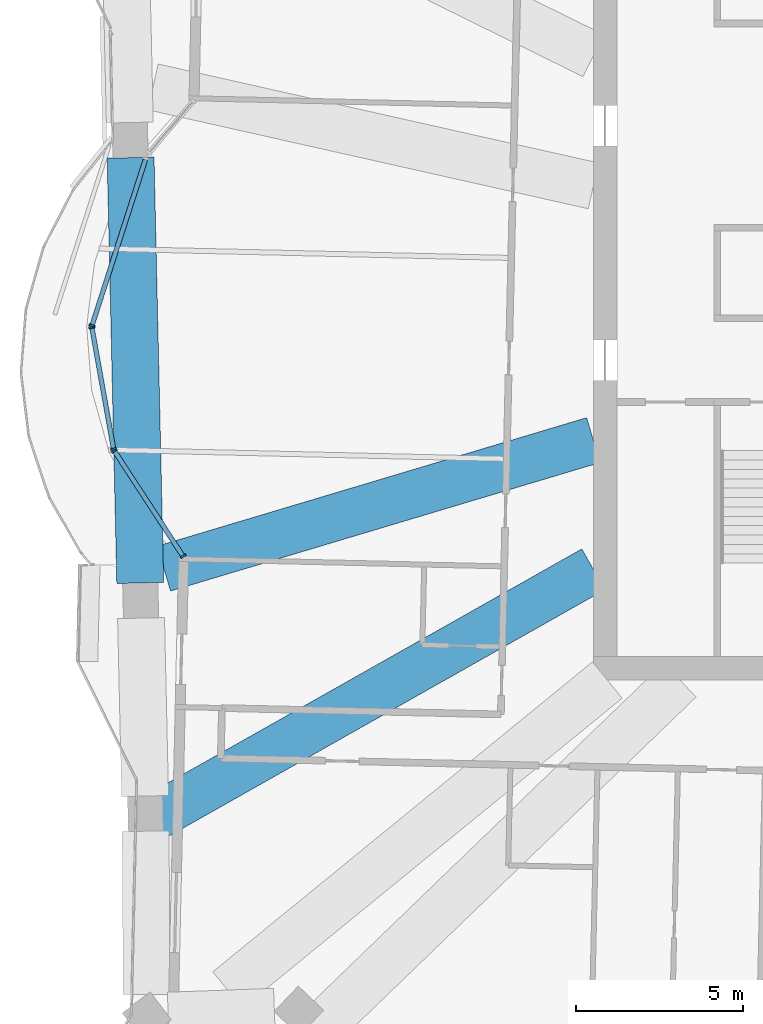
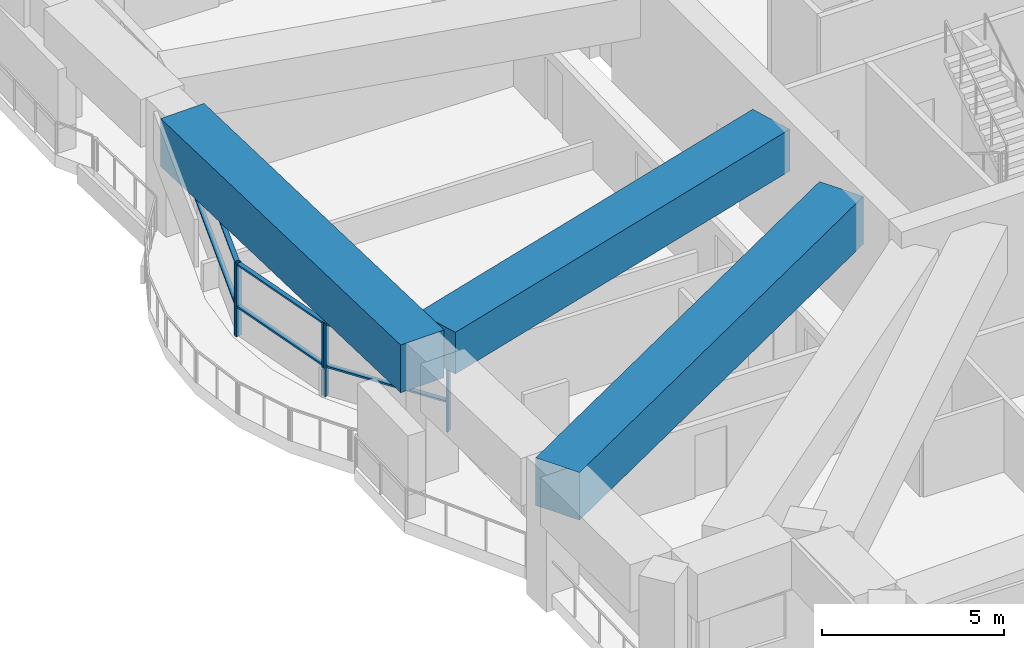
# One storey, part 2 of 20: 11 members, 3 beams, 3 elements without a shape of their own.
"""IFC4 building model written with IfcOpenShell, lengths in metres."""

import ifcopenshell
import ifcopenshell.guid

model = None  # the IFC model being written
_history = None  # IfcOwnerHistory: only IFC2X3 demands one
_inside = {}  # id of a spatial element -> (the spatial element, [elements in it])
_under = {}  # id of a project, library or spatial element -> (it, [spatial elements below it])
_declared = {}  # id of a project -> (the project, [libraries it declares])
_typed = {}  # id of a type object -> (the type object, [elements of that type])
_made_of = {}  # id of a material, layer set ... -> (it, [elements and type objects made of it])


def new_model(schema):
    """Start an empty IFC model of exactly this schema.

    Asked for "IFC4X3", IfcOpenShell would pick the latest addendum, in which some entities
    have other attributes; the version numbers below select the first issue.
    IFC2X3 requires an IfcOwnerHistory on every rooted entity: one is made here for all.
    """
    global model, _history
    if schema == "IFC4X3":
        model = ifcopenshell.file(schema_version=(4, 3, 0, 0))
    else:
        model = ifcopenshell.file(schema=schema)
    _inside.clear()
    _under.clear()
    _declared.clear()
    _typed.clear()
    _made_of.clear()
    _history = None
    if model.schema == "IFC2X3":
        org = make("IfcOrganization", Name="unknown")
        user = make(
            "IfcPersonAndOrganization",
            ThePerson=make("IfcPerson", FamilyName="unknown"),
            TheOrganization=org,
        )
        app = make(
            "IfcApplication",
            ApplicationDeveloper=org,
            Version="unknown",
            ApplicationFullName="unknown",
            ApplicationIdentifier="unknown",
        )
        _history = make(
            "IfcOwnerHistory",
            OwningUser=user,
            OwningApplication=app,
            ChangeAction="ADDED",
            CreationDate=0,
        )
    return model


def make(cls, **values):
    """One entity of the class cls with the attributes given. An attribute that is None is left unset."""
    return model.create_entity(
        cls, **{name: value for name, value in values.items() if value is not None}
    )


def rooted(cls, **values):
    """An entity with a GlobalId (a new one), such as an element, a storey or a relation."""
    return make(cls, GlobalId=ifcopenshell.guid.new(), OwnerHistory=_history, **values)


def si_unit(unit_type, name, prefix=None):
    """IfcSIUnit, for example si_unit("LENGTHUNIT", "METRE", prefix="MILLI")."""
    return make("IfcSIUnit", UnitType=unit_type, Prefix=prefix, Name=name)


def assignment(units):
    """IfcUnitAssignment: the units of a project."""
    return None if units is None else make("IfcUnitAssignment", Units=units)


def point(xyz):
    """IfcCartesianPoint."""
    return None if xyz is None else make("IfcCartesianPoint", Coordinates=xyz)


def direction(xyz):
    """IfcDirection."""
    return None if xyz is None else make("IfcDirection", DirectionRatios=xyz)


def frame(location, z_axis=None, x_axis=None):
    """IfcAxis2Placement3D, a coordinate frame: its origin and axes. An axis left out is left unset."""
    return make(
        "IfcAxis2Placement3D",
        Location=point(location),
        Axis=direction(z_axis),
        RefDirection=direction(x_axis),
    )


def frame_2d(location, x_axis=None):
    """IfcAxis2Placement2D, a coordinate frame in the plane: its origin and x axis."""
    return make(
        "IfcAxis2Placement2D", Location=point(location), RefDirection=direction(x_axis)
    )


def origin():
    """The frame at (0, 0, 0) with its axes left unset."""
    return frame((0.0, 0.0, 0.0))


def origin_2d():
    """The frame at (0, 0) in the plane with its x axis left unset."""
    return frame_2d((0.0, 0.0))


def place(relative_to, where):
    """IfcLocalPlacement: puts the frame where relative to a parent placement (None: the world)."""
    return make(
        "IfcLocalPlacement", PlacementRelTo=relative_to, RelativePlacement=where
    )


def context(
    kind, dimensions, precision=None, world=None, true_north=None, identifier=None
):
    """IfcGeometricRepresentationContext, for example the 3D "Model" context."""
    return make(
        "IfcGeometricRepresentationContext",
        ContextIdentifier=identifier,
        ContextType=kind,
        CoordinateSpaceDimension=dimensions,
        Precision=precision,
        WorldCoordinateSystem=world,
        TrueNorth=true_north,
    )


def subcontext(parent, identifier, kind, view, scale=None):
    """IfcGeometricRepresentationSubContext, for example "Body" below "Model"."""
    return make(
        "IfcGeometricRepresentationSubContext",
        ContextIdentifier=identifier,
        ContextType=kind,
        ParentContext=parent,
        TargetScale=scale,
        TargetView=view,
    )


def project(units=None, contexts=None):
    """IfcProject with its units and contexts."""
    return rooted(
        "IfcProject",
        Name="project",
        RepresentationContexts=contexts,
        UnitsInContext=assignment(units),
    )


def spatial(cls, under=None, at=None, **own):
    """A site, building, storey or space (cls), placed at a placement, below another one or the project."""
    s = rooted(cls, ObjectPlacement=at, **own)
    if under is not None:
        _under.setdefault(under.id(), (under, []))[1].append(s)
    return s


def profile(cls, at=None, kind="AREA", **sizes):
    """A parametric profile (cls). Its sizes go by their IFC names, for example OverallWidth=200.0."""
    return make(cls, ProfileType=kind, Position=at, **sizes)


def rectangle(**sizes):
    """IfcRectangleProfileDef."""
    return profile("IfcRectangleProfileDef", **sizes)


def extrude(swept, where, along, depth):
    """IfcExtrudedAreaSolid: the profile swept, set in the frame where, extruded along a direction by depth."""
    return make(
        "IfcExtrudedAreaSolid",
        SweptArea=swept,
        Position=where,
        ExtrudedDirection=direction(along),
        Depth=depth,
    )


def shape(context_of_items, identifier, shape_type, items):
    """IfcShapeRepresentation: the items that make up one representation, for example the "Body"."""
    return make(
        "IfcShapeRepresentation",
        ContextOfItems=context_of_items,
        RepresentationIdentifier=identifier,
        RepresentationType=shape_type,
        Items=items,
    )


def material(Name=None, Category=None):
    """IfcMaterial."""
    return make("IfcMaterial", Name=Name, Category=Category)


def material_profile(
    of_material, cross_section, Name=None, Category=None, Priority=None
):
    """IfcMaterialProfile: a cross section and its material."""
    return make(
        "IfcMaterialProfile",
        Name=Name,
        Material=of_material,
        Profile=cross_section,
        Priority=Priority,
        Category=Category,
    )


def profile_set(profiles, Name=None, composite=None):
    """IfcMaterialProfileSet."""
    return make(
        "IfcMaterialProfileSet",
        Name=Name,
        MaterialProfiles=profiles,
        CompositeProfile=composite,
    )


def made_of(thing, what):
    """Note that an element or type object is made of a material, layer set ...; save() writes the relation."""
    if what is not None:
        _made_of.setdefault(what.id(), (what, []))[1].append(thing)
    return thing


def type_object(cls, material=None, **own):
    """A type object (cls), such as IfcWallType, which elements share."""
    return made_of(rooted(cls, **own), material)


def element(
    cls,
    number,
    at=None,
    inside=None,
    cuts=None,
    type_object=None,
    material=None,
    context=None,
    identifier="Body",
    shape_type=None,
    held_by="IfcProductDefinitionShape",
    body=None,
    shapes=None,
    **own,
):
    """One element of the class cls, such as IfcWall. Its Tag is "e" and its number.

    at: its placement. inside: the storey or other place that contains it. cuts: it is an
    opening in that element (IfcRelVoidsElement). A single representation is given by context,
    identifier, shape_type and body (its items); several are given by shapes. held_by: the class
    of the entity that holds the representations. save() writes the other relations.
    """
    e = rooted(cls, Tag="e%d" % number, ObjectPlacement=at, **own)
    if body is not None:
        shapes = [shape(context, identifier, shape_type, body)]
    if shapes is not None:
        e.Representation = make(held_by, Representations=shapes)
    if inside is not None:
        _inside.setdefault(inside.id(), (inside, []))[1].append(e)
    if cuts is not None:
        rooted(
            "IfcRelVoidsElement", RelatingBuildingElement=cuts, RelatedOpeningElement=e
        )
    if type_object is not None:
        _typed.setdefault(type_object.id(), (type_object, []))[1].append(e)
    return made_of(e, material)


def aggregate(whole, parts):
    """IfcRelAggregates: a whole, such as a stair, and the parts it consists of."""
    return rooted("IfcRelAggregates", RelatingObject=whole, RelatedObjects=parts)


def save(model, path):
    """Write the relations noted so far, then the file.

    IfcRelAggregates (storeys below a building ...), IfcRelContainedInSpatialStructure (elements
    in a storey), IfcRelDefinesByType, IfcRelAssociatesMaterial and IfcRelDeclares: one each for
    every whole, place, type object, material and project.
    """
    for whole, parts in _under.values():
        aggregate(whole, parts)
    for where, things in _inside.values():
        rooted(
            "IfcRelContainedInSpatialStructure",
            RelatedElements=things,
            RelatingStructure=where,
        )
    for kind, things in _typed.values():
        rooted("IfcRelDefinesByType", RelatedObjects=things, RelatingType=kind)
    for what, things in _made_of.values():
        rooted("IfcRelAssociatesMaterial", RelatedObjects=things, RelatingMaterial=what)
    for by, libraries in _declared.values():
        rooted("IfcRelDeclares", RelatingContext=by, RelatedDefinitions=libraries)
    model.write(path)


model = new_model("IFC4")

# Units and contexts
model_context = context("Model", 3, precision=1e-05, world=origin(), true_north=direction((0.0, 1.0)))
body_context = subcontext(model_context, "Body", "Model", "MODEL_VIEW")
ifc_project = project(units=[si_unit("LENGTHUNIT", "METRE"), si_unit("AREAUNIT", "SQUARE_METRE"), si_unit("VOLUMEUNIT", "CUBIC_METRE"), si_unit("PLANEANGLEUNIT", "RADIAN"), si_unit("MASSUNIT", "GRAM", prefix="KILO")], contexts=[model_context])

# Site, building, storey
site_placement = place(None, origin())
site = spatial("IfcSite", under=ifc_project, at=site_placement, CompositionType="ELEMENT")
building_placement = place(site_placement, origin())
building = spatial("IfcBuilding", under=site, at=building_placement, Name="Mangrove Gate Tower", CompositionType="ELEMENT")
storey_placement = place(building_placement, frame((0.0, 0.0, 252.699951171875)))
storey = spatial("IfcBuildingStorey", under=building, at=storey_placement, Name="L64", CompositionType="ELEMENT", Elevation=252.699951171875)

# Curtain wall, member
ifc_material_1 = material(Name="Aluminium and glass curtain wall", Category="aluminium")
curtain_wall_type = type_object("IfcCurtainWallType", Name="Sky-lounge glazing wall", PredefinedType="NOTDEFINED", material=ifc_material_1)
curtain_wall_1_placement = place(storey_placement, origin())
curtain_wall_1 = element("IfcCurtainWall", 1, at=curtain_wall_1_placement, inside=storey, type_object=curtain_wall_type, Name="Sky-lounge glazing W9p2f1", PredefinedType="NOTDEFINED")
ifc_material_2 = material(Name="Aluminium alloy 6063-T6", Category="aluminium")
ifc_material_profile_1 = material_profile(ifc_material_2, rectangle(XDim=0.06005859375, YDim=0.179931640625, at=origin_2d()))
ifc_profile_set_1 = profile_set([ifc_material_profile_1], Name="Aluminium alloy 6063-T6")
member_type_1 = type_object("IfcMemberType", Name="Sky-lounge glazing mullion 60x180", PredefinedType="MULLION", material=ifc_profile_set_1)
member_1_placement = place(storey_placement, frame((-29.468017578125, -0.916259765625, 0.0), z_axis=(0.0, 0.0, 1.0), x_axis=(-0.306440523358, -0.951889807511, 0.0)))
member_1 = element("IfcMember", 2, at=member_1_placement, type_object=member_type_1, Name="CWK mullion 2", PredefinedType="MULLION", context=body_context, shape_type="SweptSolid", body=[
    extrude(rectangle(XDim=0.06005859375, YDim=0.179931640625, at=origin_2d()), origin(), (0.0, 0.0, 1.0), 2.449951171875),
])

# Curtain wall, members
curtain_wall_2_placement = place(storey_placement, origin())
curtain_wall_2 = element("IfcCurtainWall", 3, at=curtain_wall_2_placement, inside=storey, type_object=curtain_wall_type, Name="Sky-lounge glazing W9p2f2", PredefinedType="NOTDEFINED")
member_2_placement = place(storey_placement, frame((-29.471923828125, -0.974365234375, 0.0), z_axis=(0.0, 0.0, 1.0), x_axis=(0.175967680157, -0.984395944496, 0.0)))
member_2 = element("IfcMember", 4, at=member_2_placement, type_object=member_type_1, Name="CWK mullion 1", PredefinedType="MULLION", context=body_context, shape_type="SweptSolid", body=[
    extrude(rectangle(XDim=0.06005859375, YDim=0.179931640625, at=origin_2d()), origin(), (0.0, 0.0, 1.0), 2.449951171875),
])
member_3_placement = place(storey_placement, frame((-28.8232421875, -4.603515625, 0.0), z_axis=(0.0, 0.0, 1.0), x_axis=(0.175967680157, -0.984395944496, 0.0)))
member_3 = element("IfcMember", 5, at=member_3_placement, type_object=member_type_1, Name="CWK mullion 2", PredefinedType="MULLION", context=body_context, shape_type="SweptSolid", body=[
    extrude(rectangle(XDim=0.06005859375, YDim=0.179931640625, at=origin_2d()), origin(), (0.0, 0.0, 1.0), 2.449951171875),
])

curtain_wall_3_placement = place(storey_placement, origin())
curtain_wall_3 = element("IfcCurtainWall", 6, at=curtain_wall_3_placement, inside=storey, type_object=curtain_wall_type, Name="Sky-lounge glazing W9p2f3", PredefinedType="NOTDEFINED")
member_4_placement = place(storey_placement, frame((-28.801513671875, -4.658203125, 0.0), z_axis=(0.0, 0.0, 1.0), x_axis=(0.546235085045, -0.837631919083, 0.0)))
member_4 = element("IfcMember", 7, at=member_4_placement, type_object=member_type_1, Name="CWK mullion 1", PredefinedType="MULLION", context=body_context, shape_type="SweptSolid", body=[
    extrude(rectangle(XDim=0.06005859375, YDim=0.179931640625, at=origin_2d()), origin(), (0.0, 0.0, 1.0), 2.449951171875),
])
member_5_placement = place(storey_placement, frame((-26.749755859375, -7.804443359375, 0.0), z_axis=(0.0, 0.0, 1.0), x_axis=(0.546235085045, -0.837631919083, 0.0)))
member_5 = element("IfcMember", 8, at=member_5_placement, type_object=member_type_1, Name="CWK mullion 2", PredefinedType="MULLION", context=body_context, shape_type="SweptSolid", body=[
    extrude(rectangle(XDim=0.06005859375, YDim=0.179931640625, at=origin_2d()), origin(), (0.0, 0.0, 1.0), 2.449951171875),
])

# Member
ifc_material_3 = material(Name="Aluminium alloy 6063-T6", Category="aluminium")
ifc_material_profile_2 = material_profile(ifc_material_3, rectangle(XDim=0.06005859375, YDim=0.139892578125, at=origin_2d()))
ifc_profile_set_2 = profile_set([ifc_material_profile_2], Name="Aluminium alloy 6063-T6")
member_type_2 = type_object("IfcMemberType", Name="Sky-lounge glazing transom 60x140", PredefinedType="USERDEFINED", material=ifc_profile_set_2)
member_6_placement = place(storey_placement, frame((-27.872802734375, 4.039306640625, 1.0), z_axis=(-0.306447342389, -0.951887612244, 0.0), x_axis=(0.0, 0.0, 1.0)))
member_6 = element("IfcMember", 9, at=member_6_placement, type_object=member_type_2, Name="CWK transom 1.2", ObjectType="TRANSOM", PredefinedType="USERDEFINED", context=body_context, shape_type="SweptSolid", body=[
    extrude(rectangle(XDim=0.06005859375, YDim=0.139892578125, at=origin_2d()), origin(), (0.0, 0.0, 1.0), 5.176025390625),
])

member_7_placement = place(storey_placement, frame((-27.872802734375, 4.039306640625, 2.420166015625), z_axis=(-0.306447342389, -0.951887612244, 0.0), x_axis=(0.0, 0.0, 1.0)))
member_7 = element("IfcMember", 10, at=member_7_placement, type_object=member_type_2, Name="CWK transom 1.3", ObjectType="TRANSOM", PredefinedType="USERDEFINED", context=body_context, shape_type="SweptSolid", body=[
    extrude(rectangle(XDim=0.06005859375, YDim=0.139892578125, at=origin_2d()), origin(), (0.0, 0.0, 1.0), 5.176025390625),
])

aggregate(curtain_wall_1, [member_1, member_6, member_7])

member_8_placement = place(storey_placement, frame((-29.466796875, -1.00390625, 1.0), z_axis=(0.175970040086, -0.984395522639, 0.0), x_axis=(0.0, 0.0, 1.0)))
member_8 = element("IfcMember", 11, at=member_8_placement, type_object=member_type_2, Name="CWK transom 1.2", ObjectType="TRANSOM", PredefinedType="USERDEFINED", context=body_context, shape_type="SweptSolid", body=[
    extrude(rectangle(XDim=0.06005859375, YDim=0.139892578125, at=origin_2d()), origin(), (0.0, 0.0, 1.0), 3.626708984375),
])

member_9_placement = place(storey_placement, frame((-29.466796875, -1.00390625, 2.420166015625), z_axis=(0.175970040086, -0.984395522639, 0.0), x_axis=(0.0, 0.0, 1.0)))
member_9 = element("IfcMember", 12, at=member_9_placement, type_object=member_type_2, Name="CWK transom 1.3", ObjectType="TRANSOM", PredefinedType="USERDEFINED", context=body_context, shape_type="SweptSolid", body=[
    extrude(rectangle(XDim=0.06005859375, YDim=0.139892578125, at=origin_2d()), origin(), (0.0, 0.0, 1.0), 3.626708984375),
])

aggregate(curtain_wall_2, [member_2, member_3, member_8, member_9])

member_10_placement = place(storey_placement, frame((-28.78515625, -4.683349609375, 1.0), z_axis=(0.546211360714, -0.837647389674, 0.0), x_axis=(0.0, 0.0, 1.0)))
member_10 = element("IfcMember", 13, at=member_10_placement, type_object=member_type_2, Name="CWK transom 1.2", ObjectType="TRANSOM", PredefinedType="USERDEFINED", context=body_context, shape_type="SweptSolid", body=[
    extrude(rectangle(XDim=0.06005859375, YDim=0.139892578125, at=origin_2d()), origin(), (0.0, 0.0, 1.0), 3.696044921875),
])

member_11_placement = place(storey_placement, frame((-28.78515625, -4.683349609375, 2.420166015625), z_axis=(0.546211360714, -0.837647389674, 0.0), x_axis=(0.0, 0.0, 1.0)))
member_11 = element("IfcMember", 14, at=member_11_placement, type_object=member_type_2, Name="CWK transom 1.3", ObjectType="TRANSOM", PredefinedType="USERDEFINED", context=body_context, shape_type="SweptSolid", body=[
    extrude(rectangle(XDim=0.06005859375, YDim=0.139892578125, at=origin_2d()), origin(), (0.0, 0.0, 1.0), 3.696044921875),
])

aggregate(curtain_wall_3, [member_4, member_5, member_10, member_11])

# Beams
ifc_material_4 = material(Name="Concrete C60/75", Category="concrete")
ifc_material_profile_3 = material_profile(ifc_material_4, rectangle(XDim=1.39990234375, YDim=1.39990234375, at=origin_2d()))
ifc_profile_set_3 = profile_set([ifc_material_profile_3], Name="Concrete C60/75")
beam_type_1 = type_object("IfcBeamType", Name="Transfer girder RC 1400x1400 C60/75", PredefinedType="BEAM", material=ifc_profile_set_3)
beam_1_placement = place(storey_placement, frame((-14.5, -4.337158203125, 3.35009765625), z_axis=(-0.958057396571, -0.286576385762, 0.0), x_axis=(0.286576385762, -0.958057396571, 0.0)))
element("IfcBeam", 15, at=beam_1_placement, inside=storey, type_object=beam_type_1, Name="Transfer girder L64 00", PredefinedType="BEAM", context=body_context, shape_type="SweptSolid", body=[
    extrude(rectangle(XDim=1.39990234375, YDim=1.39990234375, at=origin_2d()), origin(), (0.0, 0.0, 1.0), 13.385498046875),
])
ifc_material_5 = material(Name="Concrete C60/75", Category="concrete")
ifc_material_profile_4 = material_profile(ifc_material_5, rectangle(XDim=1.39990234375, YDim=1.60009765625, at=origin_2d()))
ifc_profile_set_4 = profile_set([ifc_material_profile_4], Name="Concrete C60/75")
beam_type_2 = type_object("IfcBeamType", Name="Transfer girder RC 1400x1600 C60/75", PredefinedType="BEAM", material=ifc_profile_set_4)
beam_2_placement = place(storey_placement, frame((-28.316162109375, 4.095947265625, 3.25), z_axis=(0.022682979457, -0.999742708122, 0.0), x_axis=(0.999742708122, 0.022682979457, 0.0)))
element("IfcBeam", 16, at=beam_2_placement, inside=storey, type_object=beam_type_2, Name="Transfer ring girder L64 29", PredefinedType="BEAM", context=body_context, shape_type="SweptSolid", body=[
    extrude(rectangle(XDim=1.39990234375, YDim=1.60009765625, at=origin_2d()), origin(), (0.0, 0.0, 1.0), 12.700439453125),
])
beam_3_placement = place(storey_placement, frame((-14.5, -8.194580078125, 3.25), z_axis=(-0.870590964245, -0.492007492804, 0.0), x_axis=(0.492007492804, -0.870590964245, 0.0)))
element("IfcBeam", 17, at=beam_3_placement, inside=storey, type_object=beam_type_2, Name="Transfer girder L64 01", PredefinedType="BEAM", context=body_context, shape_type="SweptSolid", body=[
    extrude(rectangle(XDim=1.39990234375, YDim=1.60009765625, at=origin_2d()), origin(), (0.0, 0.0, 1.0), 15.35791015625),
])

save(model, "model.ifc")
